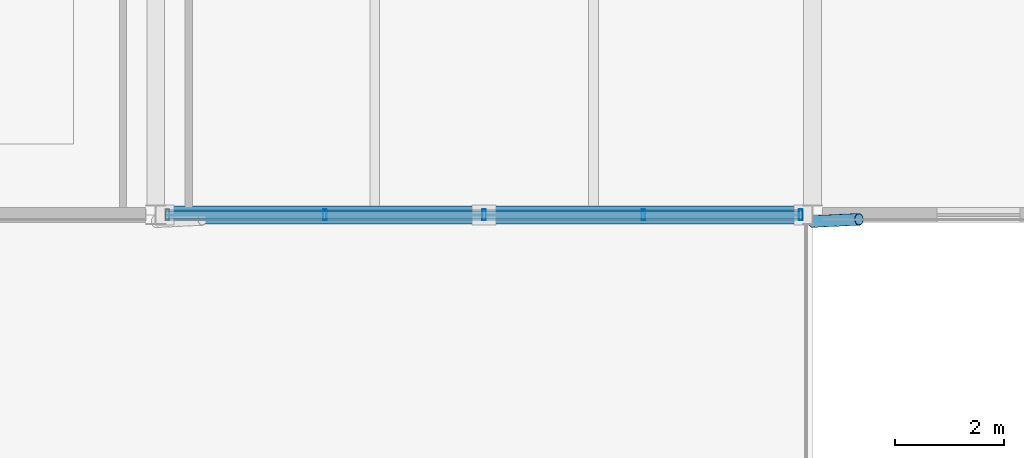
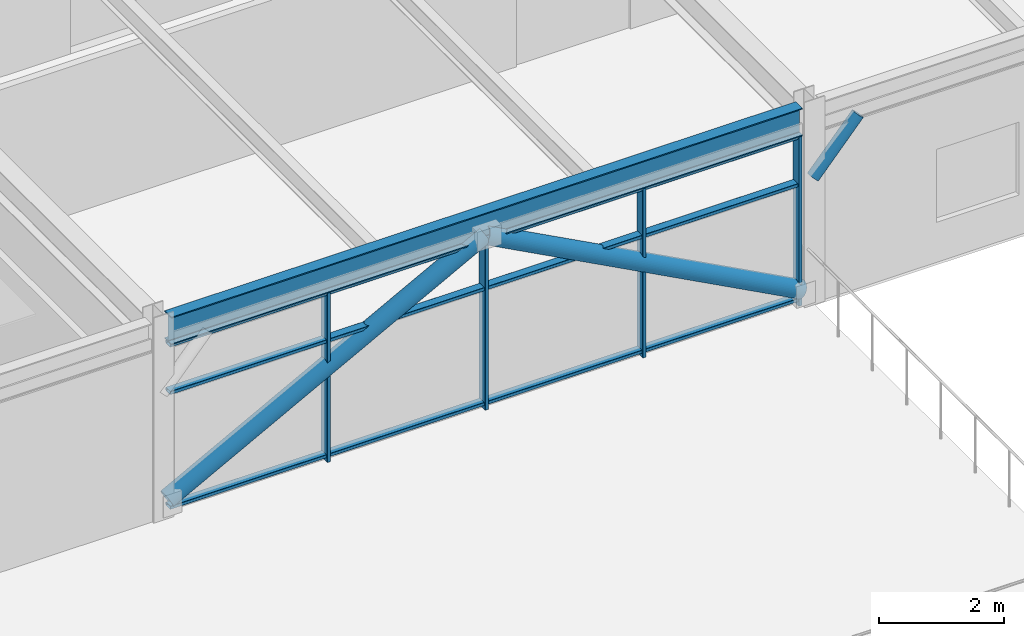
# One storey, part 17 of 30: 10 members, 1 beam, 1 element without a shape of its own.
"""IFC4 building model written with IfcOpenShell, lengths in metres."""

import ifcopenshell
import ifcopenshell.guid

model = None  # the IFC model being written
_history = None  # IfcOwnerHistory: only IFC2X3 demands one
_inside = {}  # id of a spatial element -> (the spatial element, [elements in it])
_under = {}  # id of a project, library or spatial element -> (it, [spatial elements below it])
_declared = {}  # id of a project -> (the project, [libraries it declares])
_typed = {}  # id of a type object -> (the type object, [elements of that type])
_made_of = {}  # id of a material, layer set ... -> (it, [elements and type objects made of it])


def new_model(schema):
    """Start an empty IFC model of exactly this schema.

    Asked for "IFC4X3", IfcOpenShell would pick the latest addendum, in which some entities
    have other attributes; the version numbers below select the first issue.
    IFC2X3 requires an IfcOwnerHistory on every rooted entity: one is made here for all.
    """
    global model, _history
    if schema == "IFC4X3":
        model = ifcopenshell.file(schema_version=(4, 3, 0, 0))
    else:
        model = ifcopenshell.file(schema=schema)
    _inside.clear()
    _under.clear()
    _declared.clear()
    _typed.clear()
    _made_of.clear()
    _history = None
    if model.schema == "IFC2X3":
        org = make("IfcOrganization", Name="unknown")
        user = make(
            "IfcPersonAndOrganization",
            ThePerson=make("IfcPerson", FamilyName="unknown"),
            TheOrganization=org,
        )
        app = make(
            "IfcApplication",
            ApplicationDeveloper=org,
            Version="unknown",
            ApplicationFullName="unknown",
            ApplicationIdentifier="unknown",
        )
        _history = make(
            "IfcOwnerHistory",
            OwningUser=user,
            OwningApplication=app,
            ChangeAction="ADDED",
            CreationDate=0,
        )
    return model


def make(cls, **values):
    """One entity of the class cls with the attributes given. An attribute that is None is left unset."""
    return model.create_entity(
        cls, **{name: value for name, value in values.items() if value is not None}
    )


def rooted(cls, **values):
    """An entity with a GlobalId (a new one), such as an element, a storey or a relation."""
    return make(cls, GlobalId=ifcopenshell.guid.new(), OwnerHistory=_history, **values)


def si_unit(unit_type, name, prefix=None):
    """IfcSIUnit, for example si_unit("LENGTHUNIT", "METRE", prefix="MILLI")."""
    return make("IfcSIUnit", UnitType=unit_type, Prefix=prefix, Name=name)


def assignment(units):
    """IfcUnitAssignment: the units of a project."""
    return None if units is None else make("IfcUnitAssignment", Units=units)


def point(xyz):
    """IfcCartesianPoint."""
    return None if xyz is None else make("IfcCartesianPoint", Coordinates=xyz)


def direction(xyz):
    """IfcDirection."""
    return None if xyz is None else make("IfcDirection", DirectionRatios=xyz)


def frame(location, z_axis=None, x_axis=None):
    """IfcAxis2Placement3D, a coordinate frame: its origin and axes. An axis left out is left unset."""
    return make(
        "IfcAxis2Placement3D",
        Location=point(location),
        Axis=direction(z_axis),
        RefDirection=direction(x_axis),
    )


def frame_2d(location, x_axis=None):
    """IfcAxis2Placement2D, a coordinate frame in the plane: its origin and x axis."""
    return make(
        "IfcAxis2Placement2D", Location=point(location), RefDirection=direction(x_axis)
    )


def origin():
    """The frame at (0, 0, 0) with its axes left unset."""
    return frame((0.0, 0.0, 0.0))


def origin_2d():
    """The frame at (0, 0) in the plane with its x axis left unset."""
    return frame_2d((0.0, 0.0))


def place(relative_to, where):
    """IfcLocalPlacement: puts the frame where relative to a parent placement (None: the world)."""
    return make(
        "IfcLocalPlacement", PlacementRelTo=relative_to, RelativePlacement=where
    )


def context(
    kind, dimensions, precision=None, world=None, true_north=None, identifier=None
):
    """IfcGeometricRepresentationContext, for example the 3D "Model" context."""
    return make(
        "IfcGeometricRepresentationContext",
        ContextIdentifier=identifier,
        ContextType=kind,
        CoordinateSpaceDimension=dimensions,
        Precision=precision,
        WorldCoordinateSystem=world,
        TrueNorth=true_north,
    )


def subcontext(parent, identifier, kind, view, scale=None):
    """IfcGeometricRepresentationSubContext, for example "Body" below "Model"."""
    return make(
        "IfcGeometricRepresentationSubContext",
        ContextIdentifier=identifier,
        ContextType=kind,
        ParentContext=parent,
        TargetScale=scale,
        TargetView=view,
    )


def project(units=None, contexts=None):
    """IfcProject with its units and contexts."""
    return rooted(
        "IfcProject",
        Name="project",
        RepresentationContexts=contexts,
        UnitsInContext=assignment(units),
    )


def spatial(cls, under=None, at=None, **own):
    """A site, building, storey or space (cls), placed at a placement, below another one or the project."""
    s = rooted(cls, ObjectPlacement=at, **own)
    if under is not None:
        _under.setdefault(under.id(), (under, []))[1].append(s)
    return s


def profile(cls, at=None, kind="AREA", **sizes):
    """A parametric profile (cls). Its sizes go by their IFC names, for example OverallWidth=200.0."""
    return make(cls, ProfileType=kind, Position=at, **sizes)


def hollow_rectangle(**sizes):
    """IfcRectangleHollowProfileDef."""
    return profile("IfcRectangleHollowProfileDef", **sizes)


def hollow_circle(**sizes):
    """IfcCircleHollowProfileDef."""
    return profile("IfcCircleHollowProfileDef", **sizes)


def i_section(**sizes):
    """IfcIShapeProfileDef."""
    return profile("IfcIShapeProfileDef", **sizes)


def extrude(swept, where, along, depth):
    """IfcExtrudedAreaSolid: the profile swept, set in the frame where, extruded along a direction by depth."""
    return make(
        "IfcExtrudedAreaSolid",
        SweptArea=swept,
        Position=where,
        ExtrudedDirection=direction(along),
        Depth=depth,
    )


def shape(context_of_items, identifier, shape_type, items):
    """IfcShapeRepresentation: the items that make up one representation, for example the "Body"."""
    return make(
        "IfcShapeRepresentation",
        ContextOfItems=context_of_items,
        RepresentationIdentifier=identifier,
        RepresentationType=shape_type,
        Items=items,
    )


def material(Name=None, Category=None):
    """IfcMaterial."""
    return make("IfcMaterial", Name=Name, Category=Category)


def material_profile(
    of_material, cross_section, Name=None, Category=None, Priority=None
):
    """IfcMaterialProfile: a cross section and its material."""
    return make(
        "IfcMaterialProfile",
        Name=Name,
        Material=of_material,
        Profile=cross_section,
        Priority=Priority,
        Category=Category,
    )


def profile_set(profiles, Name=None, composite=None):
    """IfcMaterialProfileSet."""
    return make(
        "IfcMaterialProfileSet",
        Name=Name,
        MaterialProfiles=profiles,
        CompositeProfile=composite,
    )


def made_of(thing, what):
    """Note that an element or type object is made of a material, layer set ...; save() writes the relation."""
    if what is not None:
        _made_of.setdefault(what.id(), (what, []))[1].append(thing)
    return thing


def type_object(cls, material=None, **own):
    """A type object (cls), such as IfcWallType, which elements share."""
    return made_of(rooted(cls, **own), material)


def element(
    cls,
    number,
    at=None,
    inside=None,
    cuts=None,
    type_object=None,
    material=None,
    context=None,
    identifier="Body",
    shape_type=None,
    held_by="IfcProductDefinitionShape",
    body=None,
    shapes=None,
    **own,
):
    """One element of the class cls, such as IfcWall. Its Tag is "e" and its number.

    at: its placement. inside: the storey or other place that contains it. cuts: it is an
    opening in that element (IfcRelVoidsElement). A single representation is given by context,
    identifier, shape_type and body (its items); several are given by shapes. held_by: the class
    of the entity that holds the representations. save() writes the other relations.
    """
    e = rooted(cls, Tag="e%d" % number, ObjectPlacement=at, **own)
    if body is not None:
        shapes = [shape(context, identifier, shape_type, body)]
    if shapes is not None:
        e.Representation = make(held_by, Representations=shapes)
    if inside is not None:
        _inside.setdefault(inside.id(), (inside, []))[1].append(e)
    if cuts is not None:
        rooted(
            "IfcRelVoidsElement", RelatingBuildingElement=cuts, RelatedOpeningElement=e
        )
    if type_object is not None:
        _typed.setdefault(type_object.id(), (type_object, []))[1].append(e)
    return made_of(e, material)


def aggregate(whole, parts):
    """IfcRelAggregates: a whole, such as a stair, and the parts it consists of."""
    return rooted("IfcRelAggregates", RelatingObject=whole, RelatedObjects=parts)


def save(model, path):
    """Write the relations noted so far, then the file.

    IfcRelAggregates (storeys below a building ...), IfcRelContainedInSpatialStructure (elements
    in a storey), IfcRelDefinesByType, IfcRelAssociatesMaterial and IfcRelDeclares: one each for
    every whole, place, type object, material and project.
    """
    for whole, parts in _under.values():
        aggregate(whole, parts)
    for where, things in _inside.values():
        rooted(
            "IfcRelContainedInSpatialStructure",
            RelatedElements=things,
            RelatingStructure=where,
        )
    for kind, things in _typed.values():
        rooted("IfcRelDefinesByType", RelatedObjects=things, RelatingType=kind)
    for what, things in _made_of.values():
        rooted("IfcRelAssociatesMaterial", RelatedObjects=things, RelatingMaterial=what)
    for by, libraries in _declared.values():
        rooted("IfcRelDeclares", RelatingContext=by, RelatedDefinitions=libraries)
    model.write(path)


model = new_model("IFC4")

# Units and contexts
model_context = context("Model", 3, precision=1e-05, world=origin(), true_north=direction((0.0, 1.0)))
body_context = subcontext(model_context, "Body", "Model", "MODEL_VIEW")
ifc_project = project(units=[si_unit("LENGTHUNIT", "METRE"), si_unit("AREAUNIT", "SQUARE_METRE"), si_unit("VOLUMEUNIT", "CUBIC_METRE"), si_unit("PLANEANGLEUNIT", "RADIAN"), si_unit("MASSUNIT", "GRAM", prefix="KILO")], contexts=[model_context])

# Site, building, storey
site_placement = place(None, origin())
site = spatial("IfcSite", under=ifc_project, at=site_placement, CompositionType="ELEMENT")
building_placement = place(site_placement, origin())
building = spatial("IfcBuilding", under=site, at=building_placement, Name="Girod Span Mobility Hub", CompositionType="ELEMENT")
storey_placement = place(building_placement, frame((0.0, 0.0, 49.60009765625)))
storey = spatial("IfcBuildingStorey", under=building, at=storey_placement, Name="L12", CompositionType="ELEMENT", Elevation=49.60009765625)

# Beam
ifc_material_1 = material(Name="Steel A992 Grade 50", Category="steel")
ifc_material_profile_1 = material_profile(ifc_material_1, i_section(OverallWidth=0.2119140625, OverallDepth=0.5439453125, WebThickness=0.01318359375, FlangeThickness=0.021240234375, FilletRadius=0.014892578125, at=origin_2d()), Name="W21X83")
ifc_profile_set_1 = profile_set([ifc_material_profile_1], Name="Steel A992 Grade 50")
beam_type = type_object("IfcBeamType", Name="BM-STL-W21X83", PredefinedType="SPANDREL", material=ifc_profile_set_1)
beam_placement = place(storey_placement, frame((108.181396484375, 45.0, 3.572998046875), z_axis=(1.0, 0.0, 0.0), x_axis=(0.0, 1.0, 0.0)))
element("IfcBeam", 1, at=beam_placement, inside=storey, type_object=beam_type, Name="Girder 10-11/D L12", PredefinedType="SPANDREL", context=body_context, shape_type="SweptSolid", body=[
    extrude(i_section(OverallWidth=0.2119140625, OverallDepth=0.5439453125, WebThickness=0.01318359375, FlangeThickness=0.021240234375, FilletRadius=0.014892578125, at=origin_2d()), origin(), (0.0, 0.0, 1.0), 11.63720703125),
])

# Curtain wall, members
ifc_material_2 = material(Name="Thermally Broken Anodised Aluminium", Category="aluminium")
curtain_wall_type = type_object("IfcCurtainWallType", Name="CW-1164X330", PredefinedType="USERDEFINED", material=ifc_material_2)
curtain_wall_placement = place(storey_placement, origin())
curtain_wall = element("IfcCurtainWall", 2, at=curtain_wall_placement, inside=storey, type_object=curtain_wall_type, Name="Unitised Curtain Wall CW-L12-S10 L12", ObjectType="UNITISED CURTAIN WALL", PredefinedType="USERDEFINED")
ifc_material_3 = material(Name="Thermally Broken Anodised Aluminium", Category="aluminium")
ifc_material_profile_2 = material_profile(ifc_material_3, hollow_rectangle(XDim=0.199951171875, YDim=0.06494140625, WallThickness=0.00390625, InnerFilletRadius=0.00390625, OuterFilletRadius=0.008056640625, at=origin_2d()), Name="CW-ML-65X200")
ifc_profile_set_2 = profile_set([ifc_material_profile_2], Name="Thermally Broken Anodised Aluminium")
member_type_1 = type_object("IfcMemberType", Name="CWM-ML-1", PredefinedType="MULLION", material=ifc_profile_set_2)
member_1_placement = place(storey_placement, frame((111.09130859375, 45.0, 0.0), z_axis=(0.0, 0.0, 1.0), x_axis=(0.0, 1.0, 0.0)))
member_1 = element("IfcMember", 3, at=member_1_placement, type_object=member_type_1, Name="Curtain Wall Mullion CW-L12-S10-M1", PredefinedType="MULLION", context=body_context, shape_type="SweptSolid", body=[
    extrude(hollow_rectangle(XDim=0.199951171875, YDim=0.06494140625, WallThickness=0.00390625, InnerFilletRadius=0.00390625, OuterFilletRadius=0.008056640625, at=origin_2d()), origin(), (0.0, 0.0, 1.0), 3.30078125),
])
member_2_placement = place(storey_placement, frame((114.0, 45.0, 0.0), z_axis=(0.0, 0.0, 1.0), x_axis=(0.0, 1.0, 0.0)))
member_2 = element("IfcMember", 4, at=member_2_placement, type_object=member_type_1, Name="Curtain Wall Mullion CW-L12-S10-M2", PredefinedType="MULLION", context=body_context, shape_type="SweptSolid", body=[
    extrude(hollow_rectangle(XDim=0.199951171875, YDim=0.06494140625, WallThickness=0.00390625, InnerFilletRadius=0.00390625, OuterFilletRadius=0.008056640625, at=origin_2d()), origin(), (0.0, 0.0, 1.0), 3.30078125),
])
member_3_placement = place(storey_placement, frame((116.90869140625, 45.0, 0.0), z_axis=(0.0, 0.0, 1.0), x_axis=(0.0, 1.0, 0.0)))
member_3 = element("IfcMember", 5, at=member_3_placement, type_object=member_type_1, Name="Curtain Wall Mullion CW-L12-S10-M3", PredefinedType="MULLION", context=body_context, shape_type="SweptSolid", body=[
    extrude(hollow_rectangle(XDim=0.199951171875, YDim=0.06494140625, WallThickness=0.00390625, InnerFilletRadius=0.00390625, OuterFilletRadius=0.008056640625, at=origin_2d()), origin(), (0.0, 0.0, 1.0), 3.30078125),
])
member_4_placement = place(storey_placement, frame((119.785400390625, 45.0, 0.0), z_axis=(0.0, 0.0, 1.0), x_axis=(0.0, 1.0, 0.0)))
member_4 = element("IfcMember", 6, at=member_4_placement, type_object=member_type_1, Name="Curtain Wall Mullion CW-L12-S10-M4", PredefinedType="MULLION", context=body_context, shape_type="SweptSolid", body=[
    extrude(hollow_rectangle(XDim=0.199951171875, YDim=0.06494140625, WallThickness=0.00390625, InnerFilletRadius=0.00390625, OuterFilletRadius=0.008056640625, at=origin_2d()), origin(), (0.0, 0.0, 1.0), 3.30078125),
])
ifc_material_4 = material(Name="Thermally Broken Anodised Aluminium", Category="aluminium")
ifc_material_profile_3 = material_profile(ifc_material_4, hollow_rectangle(XDim=0.14990234375, YDim=0.06494140625, WallThickness=0.00390625, InnerFilletRadius=0.00390625, OuterFilletRadius=0.008056640625, at=origin_2d()), Name="CW-TR-65X150")
ifc_profile_set_3 = profile_set([ifc_material_profile_3], Name="Thermally Broken Anodised Aluminium")
member_type_2 = type_object("IfcMemberType", Name="CWM-TR-1", PredefinedType="USERDEFINED", material=ifc_profile_set_3)
member_5_placement = place(storey_placement, frame((108.1826171875, 45.0, 0.107421875), z_axis=(1.0, 0.0, 0.0), x_axis=(0.0, 1.0, 0.0)))
member_5 = element("IfcMember", 7, at=member_5_placement, type_object=member_type_2, Name="Curtain Wall Transom CW-L12-S10-T1", ObjectType="TRANSOM", PredefinedType="USERDEFINED", context=body_context, shape_type="SweptSolid", body=[
    extrude(hollow_rectangle(XDim=0.14990234375, YDim=0.06494140625, WallThickness=0.00390625, InnerFilletRadius=0.00390625, OuterFilletRadius=0.008056640625, at=origin_2d()), origin(), (0.0, 0.0, 1.0), 11.634765625),
])
member_6_placement = place(storey_placement, frame((108.1826171875, 45.0, 2.343994140625), z_axis=(1.0, 0.0, 0.0), x_axis=(0.0, 1.0, 0.0)))
member_6 = element("IfcMember", 8, at=member_6_placement, type_object=member_type_2, Name="Curtain Wall Transom CW-L12-S10-T2", ObjectType="TRANSOM", PredefinedType="USERDEFINED", context=body_context, shape_type="SweptSolid", body=[
    extrude(hollow_rectangle(XDim=0.14990234375, YDim=0.06494140625, WallThickness=0.00390625, InnerFilletRadius=0.00390625, OuterFilletRadius=0.008056640625, at=origin_2d()), origin(), (0.0, 0.0, 1.0), 11.634765625),
])
member_7_placement = place(storey_placement, frame((108.1826171875, 45.0, 3.268310546875), z_axis=(1.0, 0.0, 0.0), x_axis=(0.0, 1.0, 0.0)))
member_7 = element("IfcMember", 9, at=member_7_placement, type_object=member_type_2, Name="Curtain Wall Transom CW-L12-S10-T3", ObjectType="TRANSOM", PredefinedType="USERDEFINED", context=body_context, shape_type="SweptSolid", body=[
    extrude(hollow_rectangle(XDim=0.14990234375, YDim=0.06494140625, WallThickness=0.00390625, InnerFilletRadius=0.00390625, OuterFilletRadius=0.008056640625, at=origin_2d()), origin(), (0.0, 0.0, 1.0), 11.634765625),
])
aggregate(curtain_wall, [member_1, member_2, member_3, member_4, member_5, member_6, member_7])

# Members
ifc_material_5 = material(Name="Steel HSS A500 Grade C", Category="steel")
ifc_material_profile_4 = material_profile(ifc_material_5, hollow_circle(Radius=0.162109375, WallThickness=0.01171875, at=origin_2d()), Name="HSS324X12.7")
ifc_profile_set_4 = profile_set([ifc_material_profile_4], Name="Steel HSS A500 Grade C")
member_type_3 = type_object("IfcMemberType", Name="MB-BR-HSS324", PredefinedType="BRACE", material=ifc_profile_set_4)
for number, where, z_axis, x_axis, name in (
    (10, (108.16455078125, 45.0, 0.25), (0.882440816289, 0.0, 0.470423432397), (0.0, 1.0, 0.0), "Upper Diagrid Brace 10/D-L L12"),
    (11, (119.83544921875, 45.0, 0.25), (-0.882440816289, 0.0, 0.470423432397), (0.0, -1.0, 0.0), "Upper Diagrid Brace 10/D-R L12"),
):
    element("IfcMember", number, at=place(storey_placement, frame(where, z_axis=z_axis, x_axis=x_axis)), inside=storey, type_object=member_type_3, Name=name, PredefinedType="BRACE", context=body_context, shape_type="SweptSolid", body=[
        extrude(hollow_circle(Radius=0.162109375, WallThickness=0.01171875, at=origin_2d()), origin(), (0.0, 0.0, 1.0), 6.61279296875),
    ])
ifc_material_6 = material(Name="Steel HSS A500 Grade C", Category="steel")
ifc_material_profile_5 = material_profile(ifc_material_6, hollow_circle(Radius=0.109619140625, WallThickness=0.0087890625, at=origin_2d()), Name="HSS219X9.5")
ifc_profile_set_5 = profile_set([ifc_material_profile_5], Name="Steel HSS A500 Grade C")
member_type_4 = type_object("IfcMemberType", Name="MB-ST-HSS219", PredefinedType="STRUT", material=ifc_profile_set_5)
member_8_placement = place(storey_placement, frame((120.0, 44.8798828125, 2.449951171875), z_axis=(0.680281556862, 0.032040831512, 0.732250222608), x_axis=(-0.047047213483, 0.998892666758, 0.0)))
element("IfcMember", 12, at=member_8_placement, inside=storey, type_object=member_type_4, Name="Solar Shading Knee Strut 11 L12", PredefinedType="STRUT", context=body_context, shape_type="SweptSolid", body=[
    extrude(hollow_circle(Radius=0.109619140625, WallThickness=0.0087890625, at=origin_2d()), origin(), (0.0, 0.0, 1.0), 1.24951171875),
])

save(model, "model.ifc")
